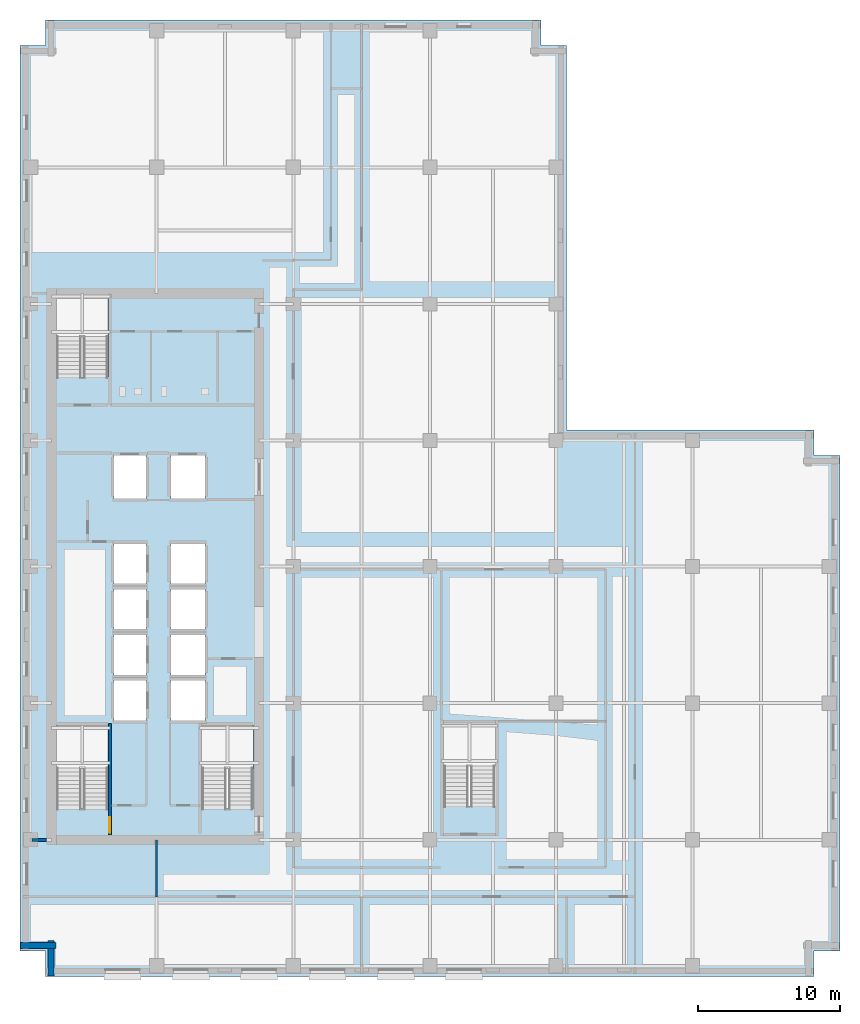
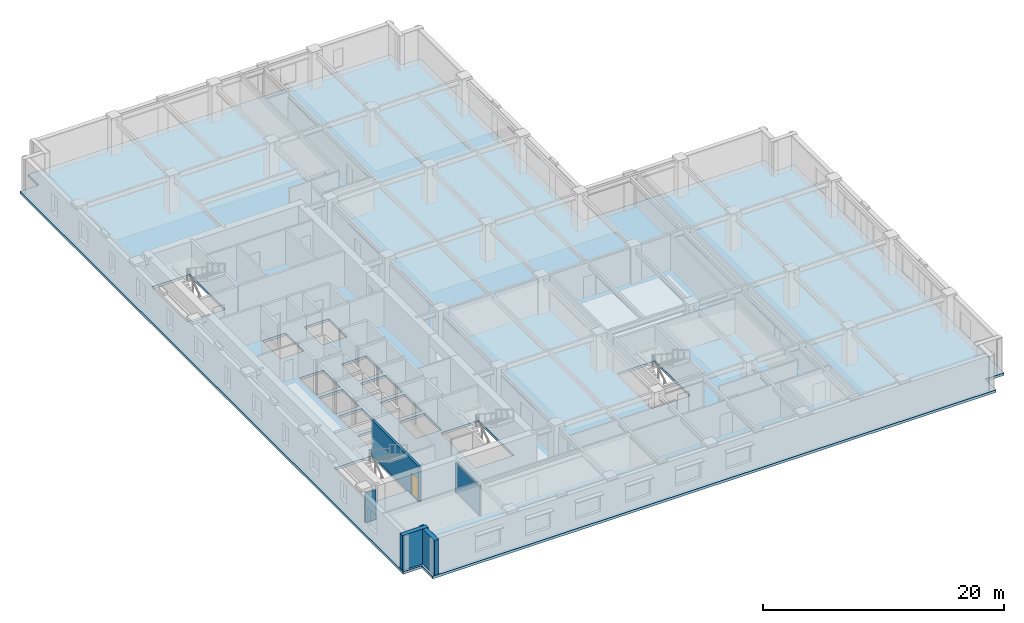
# One storey, part 3 of 12: 5 walls, 1 door, 1 slab, 1 opening.
"""IFC4 building model written with IfcOpenShell, lengths in metres."""

import ifcopenshell
import ifcopenshell.guid

model = None  # the IFC model being written
_history = None  # IfcOwnerHistory: only IFC2X3 demands one
_inside = {}  # id of a spatial element -> (the spatial element, [elements in it])
_under = {}  # id of a project, library or spatial element -> (it, [spatial elements below it])
_declared = {}  # id of a project -> (the project, [libraries it declares])
_typed = {}  # id of a type object -> (the type object, [elements of that type])
_made_of = {}  # id of a material, layer set ... -> (it, [elements and type objects made of it])


def new_model(schema):
    """Start an empty IFC model of exactly this schema.

    Asked for "IFC4X3", IfcOpenShell would pick the latest addendum, in which some entities
    have other attributes; the version numbers below select the first issue.
    IFC2X3 requires an IfcOwnerHistory on every rooted entity: one is made here for all.
    """
    global model, _history
    if schema == "IFC4X3":
        model = ifcopenshell.file(schema_version=(4, 3, 0, 0))
    else:
        model = ifcopenshell.file(schema=schema)
    _inside.clear()
    _under.clear()
    _declared.clear()
    _typed.clear()
    _made_of.clear()
    _history = None
    if model.schema == "IFC2X3":
        org = make("IfcOrganization", Name="unknown")
        user = make(
            "IfcPersonAndOrganization",
            ThePerson=make("IfcPerson", FamilyName="unknown"),
            TheOrganization=org,
        )
        app = make(
            "IfcApplication",
            ApplicationDeveloper=org,
            Version="unknown",
            ApplicationFullName="unknown",
            ApplicationIdentifier="unknown",
        )
        _history = make(
            "IfcOwnerHistory",
            OwningUser=user,
            OwningApplication=app,
            ChangeAction="ADDED",
            CreationDate=0,
        )
    return model


def make(cls, **values):
    """One entity of the class cls with the attributes given. An attribute that is None is left unset."""
    return model.create_entity(
        cls, **{name: value for name, value in values.items() if value is not None}
    )


def rooted(cls, **values):
    """An entity with a GlobalId (a new one), such as an element, a storey or a relation."""
    return make(cls, GlobalId=ifcopenshell.guid.new(), OwnerHistory=_history, **values)


def si_unit(unit_type, name, prefix=None):
    """IfcSIUnit, for example si_unit("LENGTHUNIT", "METRE", prefix="MILLI")."""
    return make("IfcSIUnit", UnitType=unit_type, Prefix=prefix, Name=name)


def assignment(units):
    """IfcUnitAssignment: the units of a project."""
    return None if units is None else make("IfcUnitAssignment", Units=units)


def point(xyz):
    """IfcCartesianPoint."""
    return None if xyz is None else make("IfcCartesianPoint", Coordinates=xyz)


def direction(xyz):
    """IfcDirection."""
    return None if xyz is None else make("IfcDirection", DirectionRatios=xyz)


def frame(location, z_axis=None, x_axis=None):
    """IfcAxis2Placement3D, a coordinate frame: its origin and axes. An axis left out is left unset."""
    return make(
        "IfcAxis2Placement3D",
        Location=point(location),
        Axis=direction(z_axis),
        RefDirection=direction(x_axis),
    )


def frame_2d(location, x_axis=None):
    """IfcAxis2Placement2D, a coordinate frame in the plane: its origin and x axis."""
    return make(
        "IfcAxis2Placement2D", Location=point(location), RefDirection=direction(x_axis)
    )


def origin():
    """The frame at (0, 0, 0) with its axes left unset."""
    return frame((0.0, 0.0, 0.0))


def place(relative_to, where):
    """IfcLocalPlacement: puts the frame where relative to a parent placement (None: the world)."""
    return make(
        "IfcLocalPlacement", PlacementRelTo=relative_to, RelativePlacement=where
    )


def context(
    kind, dimensions, precision=None, world=None, true_north=None, identifier=None
):
    """IfcGeometricRepresentationContext, for example the 3D "Model" context."""
    return make(
        "IfcGeometricRepresentationContext",
        ContextIdentifier=identifier,
        ContextType=kind,
        CoordinateSpaceDimension=dimensions,
        Precision=precision,
        WorldCoordinateSystem=world,
        TrueNorth=true_north,
    )


def subcontext(parent, identifier, kind, view, scale=None):
    """IfcGeometricRepresentationSubContext, for example "Body" below "Model"."""
    return make(
        "IfcGeometricRepresentationSubContext",
        ContextIdentifier=identifier,
        ContextType=kind,
        ParentContext=parent,
        TargetScale=scale,
        TargetView=view,
    )


def project(units=None, contexts=None):
    """IfcProject with its units and contexts."""
    return rooted(
        "IfcProject",
        Name="project",
        RepresentationContexts=contexts,
        UnitsInContext=assignment(units),
    )


def spatial(cls, under=None, at=None, **own):
    """A site, building, storey or space (cls), placed at a placement, below another one or the project."""
    s = rooted(cls, ObjectPlacement=at, **own)
    if under is not None:
        _under.setdefault(under.id(), (under, []))[1].append(s)
    return s


def polyline(points):
    """IfcPolyline through the points."""
    return make("IfcPolyline", Points=[point(p) for p in points])


def profile(cls, at=None, kind="AREA", **sizes):
    """A parametric profile (cls). Its sizes go by their IFC names, for example OverallWidth=200.0."""
    return make(cls, ProfileType=kind, Position=at, **sizes)


def rectangle(**sizes):
    """IfcRectangleProfileDef."""
    return profile("IfcRectangleProfileDef", **sizes)


def outline(outer, holes=None, kind="AREA"):
    """IfcArbitraryClosedProfileDef: a profile drawn as a closed curve; with holes, ...WithVoids."""
    if holes is None:
        return make("IfcArbitraryClosedProfileDef", ProfileType=kind, OuterCurve=outer)
    return make(
        "IfcArbitraryProfileDefWithVoids",
        ProfileType=kind,
        OuterCurve=outer,
        InnerCurves=holes,
    )


def extrude(swept, where, along, depth):
    """IfcExtrudedAreaSolid: the profile swept, set in the frame where, extruded along a direction by depth."""
    return make(
        "IfcExtrudedAreaSolid",
        SweptArea=swept,
        Position=where,
        ExtrudedDirection=direction(along),
        Depth=depth,
    )


def shape(context_of_items, identifier, shape_type, items):
    """IfcShapeRepresentation: the items that make up one representation, for example the "Body"."""
    return make(
        "IfcShapeRepresentation",
        ContextOfItems=context_of_items,
        RepresentationIdentifier=identifier,
        RepresentationType=shape_type,
        Items=items,
    )


def material(Name=None, Category=None):
    """IfcMaterial."""
    return make("IfcMaterial", Name=Name, Category=Category)


def layer(
    of_material, thickness, ventilated=None, Name=None, Category=None, Priority=None
):
    """IfcMaterialLayer: one layer of a wall or slab, of a material (None: an air gap)."""
    return make(
        "IfcMaterialLayer",
        Material=of_material,
        LayerThickness=thickness,
        IsVentilated=ventilated,
        Name=Name,
        Category=Category,
        Priority=Priority,
    )


def layer_set(layers, Name=None):
    """IfcMaterialLayerSet."""
    return make("IfcMaterialLayerSet", MaterialLayers=layers, LayerSetName=Name)


def made_of(thing, what):
    """Note that an element or type object is made of a material, layer set ...; save() writes the relation."""
    if what is not None:
        _made_of.setdefault(what.id(), (what, []))[1].append(thing)
    return thing


def type_object(cls, material=None, **own):
    """A type object (cls), such as IfcWallType, which elements share."""
    return made_of(rooted(cls, **own), material)


def element(
    cls,
    number,
    at=None,
    inside=None,
    cuts=None,
    type_object=None,
    material=None,
    context=None,
    identifier="Body",
    shape_type=None,
    held_by="IfcProductDefinitionShape",
    body=None,
    shapes=None,
    **own,
):
    """One element of the class cls, such as IfcWall. Its Tag is "e" and its number.

    at: its placement. inside: the storey or other place that contains it. cuts: it is an
    opening in that element (IfcRelVoidsElement). A single representation is given by context,
    identifier, shape_type and body (its items); several are given by shapes. held_by: the class
    of the entity that holds the representations. save() writes the other relations.
    """
    e = rooted(cls, Tag="e%d" % number, ObjectPlacement=at, **own)
    if body is not None:
        shapes = [shape(context, identifier, shape_type, body)]
    if shapes is not None:
        e.Representation = make(held_by, Representations=shapes)
    if inside is not None:
        _inside.setdefault(inside.id(), (inside, []))[1].append(e)
    if cuts is not None:
        rooted(
            "IfcRelVoidsElement", RelatingBuildingElement=cuts, RelatedOpeningElement=e
        )
    if type_object is not None:
        _typed.setdefault(type_object.id(), (type_object, []))[1].append(e)
    return made_of(e, material)


def fill(opening, filler):
    """IfcRelFillsElement: the door or window that sits in an opening."""
    return rooted(
        "IfcRelFillsElement",
        RelatingOpeningElement=opening,
        RelatedBuildingElement=filler,
    )


def aggregate(whole, parts):
    """IfcRelAggregates: a whole, such as a stair, and the parts it consists of."""
    return rooted("IfcRelAggregates", RelatingObject=whole, RelatedObjects=parts)


def save(model, path):
    """Write the relations noted so far, then the file.

    IfcRelAggregates (storeys below a building ...), IfcRelContainedInSpatialStructure (elements
    in a storey), IfcRelDefinesByType, IfcRelAssociatesMaterial and IfcRelDeclares: one each for
    every whole, place, type object, material and project.
    """
    for whole, parts in _under.values():
        aggregate(whole, parts)
    for where, things in _inside.values():
        rooted(
            "IfcRelContainedInSpatialStructure",
            RelatedElements=things,
            RelatingStructure=where,
        )
    for kind, things in _typed.values():
        rooted("IfcRelDefinesByType", RelatedObjects=things, RelatingType=kind)
    for what, things in _made_of.values():
        rooted("IfcRelAssociatesMaterial", RelatedObjects=things, RelatingMaterial=what)
    for by, libraries in _declared.values():
        rooted("IfcRelDeclares", RelatingContext=by, RelatedDefinitions=libraries)
    model.write(path)


model = new_model("IFC4")

# Units and contexts
model_context = context("Model", 3, precision=1e-05, world=origin(), true_north=direction((0.0, 1.0)))
body_context = subcontext(model_context, "Body", "Model", "MODEL_VIEW")
ifc_project = project(units=[si_unit("LENGTHUNIT", "METRE"), si_unit("AREAUNIT", "SQUARE_METRE"), si_unit("VOLUMEUNIT", "CUBIC_METRE"), si_unit("PLANEANGLEUNIT", "RADIAN"), si_unit("MASSUNIT", "GRAM", prefix="KILO")], contexts=[model_context])

# Site, building, storey
site_placement = place(None, origin())
site = spatial("IfcSite", under=ifc_project, at=site_placement, CompositionType="ELEMENT")
building_placement = place(site_placement, origin())
building = spatial("IfcBuilding", under=site, at=building_placement, Name="Norrvale University Quadrangle", CompositionType="ELEMENT")
storey_placement = place(building_placement, frame((0.0, 0.0, 135.60009765625)))
storey = spatial("IfcBuildingStorey", under=building, at=storey_placement, Name="L34", CompositionType="ELEMENT", Elevation=135.60009765625)

# Slab
ifc_material_1 = material(Name="Concrete C40/50", Category="concrete")
ifc_layer_1 = layer(ifc_material_1, 0.260009765625, Name="Concrete C40/50")
ifc_layer_set_1 = layer_set([ifc_layer_1], Name="Concrete C40/50")
slab_type = type_object("IfcSlabType", Name="Slab Tower Typ 260", PredefinedType="FLOOR", material=ifc_layer_set_1)
slab_placement = place(storey_placement, frame((0.0, 0.0, -0.260009765625)))
element("IfcSlab", 1, at=slab_placement, inside=storey, type_object=slab_type, Name="Tower L34 Floor Slab", PredefinedType="FLOOR", context=body_context, shape_type="SweptSolid", body=[
    extrude(outline(polyline([(1.800048828125, 0.0), (55.800048828125, 0.0), (55.800048828125, 1.800048828125), (57.60009765625, 1.800048828125), (57.60009765625, 36.60009765625), (55.800048828125, 36.60009765625), (55.800048828125, 38.39990234375), (38.39990234375, 38.39990234375), (38.39990234375, 65.39990234375), (36.60009765625, 65.39990234375), (36.60009765625, 67.199951171875), (1.800048828125, 67.199951171875), (1.800048828125, 65.39990234375), (0.0, 65.39990234375), (0.0, 1.800048828125), (1.800048828125, 1.800048828125), (1.800048828125, 0.0)]), holes=[polyline([(2.550048828125, 11.81005859375), (6.199951171875, 11.81005859375), (6.199951171875, 17.64990234375), (2.550048828125, 17.64990234375), (2.550048828125, 11.81005859375)]), polyline([(2.550048828125, 42.110107421875), (6.199951171875, 42.110107421875), (6.199951171875, 47.949951171875), (2.550048828125, 47.949951171875), (2.550048828125, 42.110107421875)]), polyline([(12.75, 11.81005859375), (16.39990234375, 11.81005859375), (16.39990234375, 17.64990234375), (12.75, 17.64990234375), (12.75, 11.81005859375)]), polyline([(29.75, 11.9599609375), (33.39990234375, 11.9599609375), (33.39990234375, 17.800048828125), (29.75, 17.800048828125), (29.75, 11.9599609375)]), polyline([(6.60009765625, 18.0), (8.85009765625, 18.0), (8.85009765625, 20.800048828125), (6.60009765625, 20.800048828125), (6.60009765625, 18.0)]), polyline([(6.60009765625, 21.199951171875), (8.85009765625, 21.199951171875), (8.85009765625, 24.0), (6.60009765625, 24.0), (6.60009765625, 21.199951171875)]), polyline([(6.60009765625, 24.39990234375), (8.85009765625, 24.39990234375), (8.85009765625, 27.199951171875), (6.60009765625, 27.199951171875), (6.60009765625, 24.39990234375)]), polyline([(6.60009765625, 27.60009765625), (8.85009765625, 27.60009765625), (8.85009765625, 30.39990234375), (6.60009765625, 30.39990234375), (6.60009765625, 27.60009765625)]), polyline([(10.60009765625, 18.0), (13.0, 18.0), (13.0, 20.800048828125), (10.60009765625, 20.800048828125), (10.60009765625, 18.0)]), polyline([(10.60009765625, 21.199951171875), (13.0, 21.199951171875), (13.0, 24.0), (10.60009765625, 24.0), (10.60009765625, 21.199951171875)]), polyline([(10.60009765625, 24.39990234375), (13.0, 24.39990234375), (13.0, 27.199951171875), (10.60009765625, 27.199951171875), (10.60009765625, 24.39990234375)]), polyline([(10.60009765625, 27.60009765625), (13.0, 27.60009765625), (13.0, 30.39990234375), (10.60009765625, 30.39990234375), (10.60009765625, 27.60009765625)]), polyline([(6.60009765625, 33.60009765625), (8.85009765625, 33.60009765625), (8.85009765625, 36.60009765625), (6.60009765625, 36.60009765625), (6.60009765625, 33.60009765625)]), polyline([(10.60009765625, 33.60009765625), (13.0, 33.60009765625), (13.0, 36.60009765625), (10.60009765625, 36.60009765625), (10.60009765625, 33.60009765625)])]), origin(), (0.0, 0.0, 1.0), 0.260009765625),
])

# Walls
ifc_material_2 = material(Name="Buff Norman Clay Brick Masonry", Category="masonry")
ifc_layer_2 = layer(ifc_material_2, 0.419921875, Name="Buff Norman Clay Brick Masonry")
ifc_layer_set_2 = layer_set([ifc_layer_2], Name="Buff Norman Clay Brick Masonry")
wall_type_1 = type_object("IfcWallType", Name="Wall Buff Brick 420", PredefinedType="SOLIDWALL", material=ifc_layer_set_2)
for number, where, z_axis, x_axis, name in (
    (2, (0.0400390625, 2.18994140625, 0.0), (0.0, 0.0, 1.0), (1.0, 0.0, 0.0), "Exterior Brick Facade Wall L34-15.1"),
    (3, (2.18994140625, 2.5400390625, 0.0), (0.0, 0.0, 1.0), (0.0, -1.0, 0.0), "Exterior Brick Facade Wall L34-16.1"),
):
    element("IfcWall", number, at=place(storey_placement, frame(where, z_axis=z_axis, x_axis=x_axis)), inside=storey, type_object=wall_type_1, Name=name, PredefinedType="SOLIDWALL", context=body_context, shape_type="SweptSolid", body=[
        extrude(rectangle(XDim=2.5, YDim=0.419921875, at=frame_2d((1.25, 0.0))), origin(), (0.0, 0.0, 1.0), 3.539794921875),
    ])
ifc_material_3 = material(Name="Fire-Rated Gypsum Stud Partition")
ifc_layer_3 = layer(ifc_material_3, 0.14990234375, Name="Fire-Rated Gypsum Stud Partition")
ifc_layer_set_3 = layer_set([ifc_layer_3], Name="Fire-Rated Gypsum Stud Partition")
wall_type_2 = type_object("IfcWallType", Name="Wall Gypsum Corridor 150", PredefinedType="PARTITIONING", material=ifc_layer_set_3)
wall_1_placement = place(storey_placement, frame((9.60009765625, 5.60009765625, 0.0), z_axis=(0.0, 0.0, 1.0), x_axis=(0.0, 1.0, 0.0)))
element("IfcWall", 4, at=wall_1_placement, inside=storey, type_object=wall_type_2, Name="Interior Partition WL-L34-CSW-END", PredefinedType="PARTITIONING", context=body_context, shape_type="SweptSolid", body=[
    extrude(rectangle(XDim=4.0, YDim=0.14990234375, at=frame_2d((2.0, 0.0))), origin(), (0.0, 0.0, 1.0), 2.995849609375),
])
ifc_material_4 = material(Name="Concrete Blockwork 20 MPa Rated Wall", Category="masonry")
ifc_layer_4 = layer(ifc_material_4, 0.199951171875, Name="Concrete Blockwork 20 MPa Rated Wall")
ifc_layer_set_4 = layer_set([ifc_layer_4], Name="Concrete Blockwork 20 MPa Rated Wall")
wall_type_3 = type_object("IfcWallType", Name="Wall Lobby 200", PredefinedType="SOLIDWALL", material=ifc_layer_set_4)
wall_2_placement = place(storey_placement, frame((0.85009765625, 9.60009765625, 0.0), z_axis=(0.0, 0.0, 1.0), x_axis=(1.0, 0.0, 0.0)))
element("IfcWall", 5, at=wall_2_placement, inside=storey, type_object=wall_type_3, Name="Interior Partition WL-L34-CWRET-S", PredefinedType="SOLIDWALL", context=body_context, shape_type="SweptSolid", body=[
    extrude(rectangle(XDim=0.994873046875, YDim=0.199951171875, at=frame_2d((0.49755859375, 0.0))), origin(), (0.0, 0.0, 1.0), 2.995849609375),
])

# Wall, opening, door
ifc_material_5 = material(Name="Concrete Blockwork 20 MPa Fire Shaft", Category="masonry")
ifc_layer_5 = layer(ifc_material_5, 0.219970703125, Name="Concrete Blockwork 20 MPa Fire Shaft")
ifc_layer_set_5 = layer_set([ifc_layer_5], Name="Concrete Blockwork 20 MPa Fire Shaft")
wall_type_4 = type_object("IfcWallType", Name="Wall Shaft 220", PredefinedType="SOLIDWALL", material=ifc_layer_set_5)
wall_3_placement = place(storey_placement, frame((6.31005859375, 9.949951171875, 0.0), z_axis=(0.0, 0.0, 1.0), x_axis=(0.0, 1.0, 0.0)))
wall_3 = element("IfcWall", 6, at=wall_3_placement, inside=storey, type_object=wall_type_4, Name="Stair ST-01 East Shaft Wall L34", PredefinedType="SOLIDWALL", context=body_context, shape_type="SweptSolid", body=[
    extrude(rectangle(XDim=7.81005859375, YDim=0.219970703125, at=frame_2d((3.905029296875, 0.0))), origin(), (0.0, 0.0, 1.0), 3.539794921875),
])
opening_placement = place(wall_3_placement, frame((0.139892578125, 0.0, 0.0)))
opening = element("IfcOpeningElement", 7, at=opening_placement, cuts=wall_3, Name="Opening D02", PredefinedType="OPENING", context=body_context, shape_type="SweptSolid", body=[
    extrude(rectangle(XDim=1.10009765625, YDim=2.199951171875, at=frame_2d((0.550048828125, 1.10009765625))), frame((0.0, 0.1220703125, 0.0), z_axis=(0.0, -1.0, 0.0), x_axis=(1.0, 0.0, 0.0)), (0.0, 0.0, 1.0), 0.243896484375),
])
ifc_material_6 = material(Name="Hollow Steel 350W Fire Door", Category="steel")
door_type = type_object("IfcDoorType", Name="Door Stair Exit 1100x2200", OperationType="NOTDEFINED", PredefinedType="DOOR", material=ifc_material_6)
door_placement = place(opening_placement, origin())
door = element("IfcDoor", 8, at=door_placement, inside=storey, type_object=door_type, Name="Door Stair Exit 1100x2200 DR-L34-ST01", OperationType="SINGLE_SWING_LEFT", OverallHeight=2.199951171875, OverallWidth=1.10009765625, PredefinedType="DOOR", context=body_context, shape_type="SweptSolid", body=[
    extrude(rectangle(XDim=1.10009765625, YDim=2.199951171875, at=frame_2d((0.550048828125, 1.10009765625))), frame((0.0, 0.02490234375, 0.0), z_axis=(0.0, -1.0, 0.0), x_axis=(1.0, 0.0, 0.0)), (0.0, 0.0, 1.0), 0.050048828125),
])
fill(opening, door)

save(model, "model.ifc")
